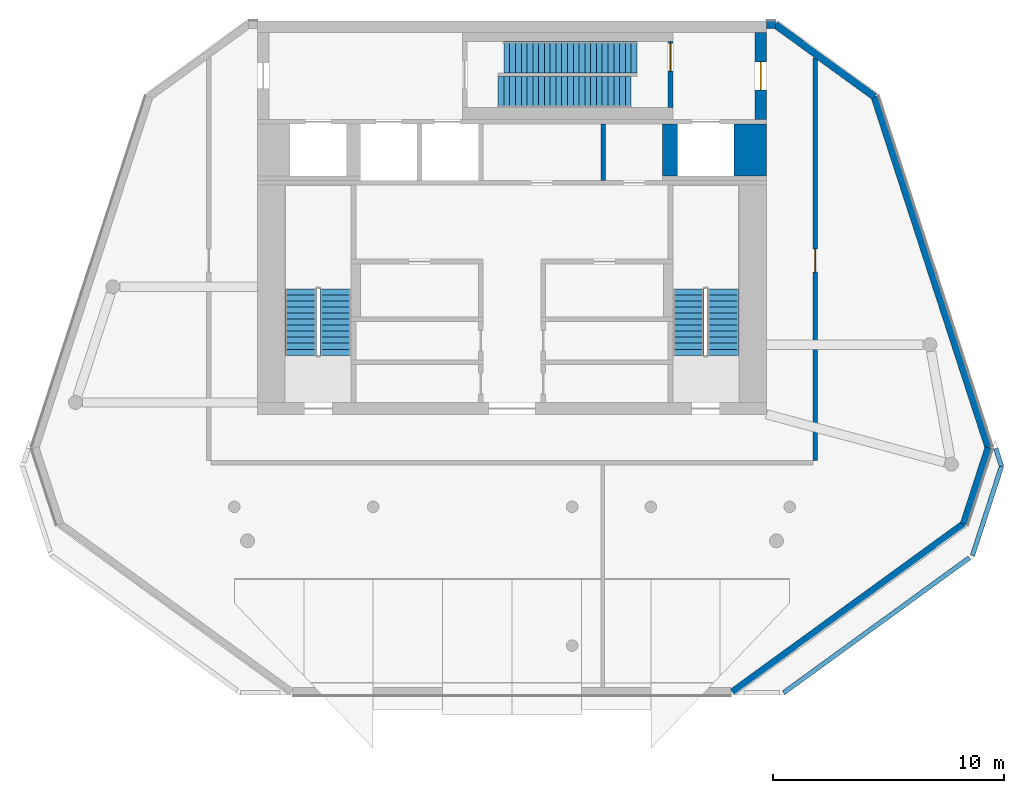
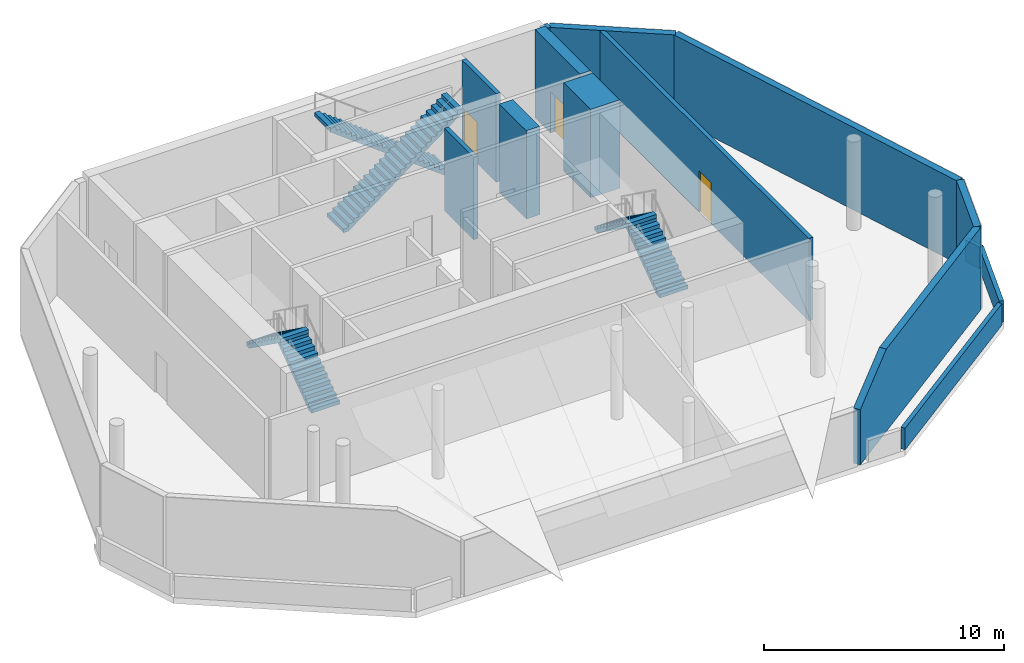
# One storey, part 3 of 7: 14 walls, 6 stair flights, 3 doors, 3 openings, 4 elements without a shape of their own.
"""IFC4 building model written with IfcOpenShell, lengths in metres."""

import ifcopenshell
import ifcopenshell.guid

model = None  # the IFC model being written
_history = None  # IfcOwnerHistory: only IFC2X3 demands one
_inside = {}  # id of a spatial element -> (the spatial element, [elements in it])
_under = {}  # id of a project, library or spatial element -> (it, [spatial elements below it])
_declared = {}  # id of a project -> (the project, [libraries it declares])
_typed = {}  # id of a type object -> (the type object, [elements of that type])
_made_of = {}  # id of a material, layer set ... -> (it, [elements and type objects made of it])


def new_model(schema):
    """Start an empty IFC model of exactly this schema.

    Asked for "IFC4X3", IfcOpenShell would pick the latest addendum, in which some entities
    have other attributes; the version numbers below select the first issue.
    IFC2X3 requires an IfcOwnerHistory on every rooted entity: one is made here for all.
    """
    global model, _history
    if schema == "IFC4X3":
        model = ifcopenshell.file(schema_version=(4, 3, 0, 0))
    else:
        model = ifcopenshell.file(schema=schema)
    _inside.clear()
    _under.clear()
    _declared.clear()
    _typed.clear()
    _made_of.clear()
    _history = None
    if model.schema == "IFC2X3":
        org = make("IfcOrganization", Name="unknown")
        user = make(
            "IfcPersonAndOrganization",
            ThePerson=make("IfcPerson", FamilyName="unknown"),
            TheOrganization=org,
        )
        app = make(
            "IfcApplication",
            ApplicationDeveloper=org,
            Version="unknown",
            ApplicationFullName="unknown",
            ApplicationIdentifier="unknown",
        )
        _history = make(
            "IfcOwnerHistory",
            OwningUser=user,
            OwningApplication=app,
            ChangeAction="ADDED",
            CreationDate=0,
        )
    return model


def make(cls, **values):
    """One entity of the class cls with the attributes given. An attribute that is None is left unset."""
    return model.create_entity(
        cls, **{name: value for name, value in values.items() if value is not None}
    )


def rooted(cls, **values):
    """An entity with a GlobalId (a new one), such as an element, a storey or a relation."""
    return make(cls, GlobalId=ifcopenshell.guid.new(), OwnerHistory=_history, **values)


def si_unit(unit_type, name, prefix=None):
    """IfcSIUnit, for example si_unit("LENGTHUNIT", "METRE", prefix="MILLI")."""
    return make("IfcSIUnit", UnitType=unit_type, Prefix=prefix, Name=name)


def assignment(units):
    """IfcUnitAssignment: the units of a project."""
    return None if units is None else make("IfcUnitAssignment", Units=units)


def point(xyz):
    """IfcCartesianPoint."""
    return None if xyz is None else make("IfcCartesianPoint", Coordinates=xyz)


def direction(xyz):
    """IfcDirection."""
    return None if xyz is None else make("IfcDirection", DirectionRatios=xyz)


def frame(location, z_axis=None, x_axis=None):
    """IfcAxis2Placement3D, a coordinate frame: its origin and axes. An axis left out is left unset."""
    return make(
        "IfcAxis2Placement3D",
        Location=point(location),
        Axis=direction(z_axis),
        RefDirection=direction(x_axis),
    )


def frame_2d(location, x_axis=None):
    """IfcAxis2Placement2D, a coordinate frame in the plane: its origin and x axis."""
    return make(
        "IfcAxis2Placement2D", Location=point(location), RefDirection=direction(x_axis)
    )


def origin():
    """The frame at (0, 0, 0) with its axes left unset."""
    return frame((0.0, 0.0, 0.0))


def place(relative_to, where):
    """IfcLocalPlacement: puts the frame where relative to a parent placement (None: the world)."""
    return make(
        "IfcLocalPlacement", PlacementRelTo=relative_to, RelativePlacement=where
    )


def context(
    kind, dimensions, precision=None, world=None, true_north=None, identifier=None
):
    """IfcGeometricRepresentationContext, for example the 3D "Model" context."""
    return make(
        "IfcGeometricRepresentationContext",
        ContextIdentifier=identifier,
        ContextType=kind,
        CoordinateSpaceDimension=dimensions,
        Precision=precision,
        WorldCoordinateSystem=world,
        TrueNorth=true_north,
    )


def subcontext(parent, identifier, kind, view, scale=None):
    """IfcGeometricRepresentationSubContext, for example "Body" below "Model"."""
    return make(
        "IfcGeometricRepresentationSubContext",
        ContextIdentifier=identifier,
        ContextType=kind,
        ParentContext=parent,
        TargetScale=scale,
        TargetView=view,
    )


def project(units=None, contexts=None):
    """IfcProject with its units and contexts."""
    return rooted(
        "IfcProject",
        Name="project",
        RepresentationContexts=contexts,
        UnitsInContext=assignment(units),
    )


def spatial(cls, under=None, at=None, **own):
    """A site, building, storey or space (cls), placed at a placement, below another one or the project."""
    s = rooted(cls, ObjectPlacement=at, **own)
    if under is not None:
        _under.setdefault(under.id(), (under, []))[1].append(s)
    return s


def polyline(points):
    """IfcPolyline through the points."""
    return make("IfcPolyline", Points=[point(p) for p in points])


def profile(cls, at=None, kind="AREA", **sizes):
    """A parametric profile (cls). Its sizes go by their IFC names, for example OverallWidth=200.0."""
    return make(cls, ProfileType=kind, Position=at, **sizes)


def rectangle(**sizes):
    """IfcRectangleProfileDef."""
    return profile("IfcRectangleProfileDef", **sizes)


def outline(outer, holes=None, kind="AREA"):
    """IfcArbitraryClosedProfileDef: a profile drawn as a closed curve; with holes, ...WithVoids."""
    if holes is None:
        return make("IfcArbitraryClosedProfileDef", ProfileType=kind, OuterCurve=outer)
    return make(
        "IfcArbitraryProfileDefWithVoids",
        ProfileType=kind,
        OuterCurve=outer,
        InnerCurves=holes,
    )


def extrude(swept, where, along, depth):
    """IfcExtrudedAreaSolid: the profile swept, set in the frame where, extruded along a direction by depth."""
    return make(
        "IfcExtrudedAreaSolid",
        SweptArea=swept,
        Position=where,
        ExtrudedDirection=direction(along),
        Depth=depth,
    )


def shape(context_of_items, identifier, shape_type, items):
    """IfcShapeRepresentation: the items that make up one representation, for example the "Body"."""
    return make(
        "IfcShapeRepresentation",
        ContextOfItems=context_of_items,
        RepresentationIdentifier=identifier,
        RepresentationType=shape_type,
        Items=items,
    )


def material(Name=None, Category=None):
    """IfcMaterial."""
    return make("IfcMaterial", Name=Name, Category=Category)


def layer(
    of_material, thickness, ventilated=None, Name=None, Category=None, Priority=None
):
    """IfcMaterialLayer: one layer of a wall or slab, of a material (None: an air gap)."""
    return make(
        "IfcMaterialLayer",
        Material=of_material,
        LayerThickness=thickness,
        IsVentilated=ventilated,
        Name=Name,
        Category=Category,
        Priority=Priority,
    )


def layer_set(layers, Name=None):
    """IfcMaterialLayerSet."""
    return make("IfcMaterialLayerSet", MaterialLayers=layers, LayerSetName=Name)


def made_of(thing, what):
    """Note that an element or type object is made of a material, layer set ...; save() writes the relation."""
    if what is not None:
        _made_of.setdefault(what.id(), (what, []))[1].append(thing)
    return thing


def type_object(cls, material=None, **own):
    """A type object (cls), such as IfcWallType, which elements share."""
    return made_of(rooted(cls, **own), material)


def element(
    cls,
    number,
    at=None,
    inside=None,
    cuts=None,
    type_object=None,
    material=None,
    context=None,
    identifier="Body",
    shape_type=None,
    held_by="IfcProductDefinitionShape",
    body=None,
    shapes=None,
    **own,
):
    """One element of the class cls, such as IfcWall. Its Tag is "e" and its number.

    at: its placement. inside: the storey or other place that contains it. cuts: it is an
    opening in that element (IfcRelVoidsElement). A single representation is given by context,
    identifier, shape_type and body (its items); several are given by shapes. held_by: the class
    of the entity that holds the representations. save() writes the other relations.
    """
    e = rooted(cls, Tag="e%d" % number, ObjectPlacement=at, **own)
    if body is not None:
        shapes = [shape(context, identifier, shape_type, body)]
    if shapes is not None:
        e.Representation = make(held_by, Representations=shapes)
    if inside is not None:
        _inside.setdefault(inside.id(), (inside, []))[1].append(e)
    if cuts is not None:
        rooted(
            "IfcRelVoidsElement", RelatingBuildingElement=cuts, RelatedOpeningElement=e
        )
    if type_object is not None:
        _typed.setdefault(type_object.id(), (type_object, []))[1].append(e)
    return made_of(e, material)


def fill(opening, filler):
    """IfcRelFillsElement: the door or window that sits in an opening."""
    return rooted(
        "IfcRelFillsElement",
        RelatingOpeningElement=opening,
        RelatedBuildingElement=filler,
    )


def aggregate(whole, parts):
    """IfcRelAggregates: a whole, such as a stair, and the parts it consists of."""
    return rooted("IfcRelAggregates", RelatingObject=whole, RelatedObjects=parts)


def save(model, path):
    """Write the relations noted so far, then the file.

    IfcRelAggregates (storeys below a building ...), IfcRelContainedInSpatialStructure (elements
    in a storey), IfcRelDefinesByType, IfcRelAssociatesMaterial and IfcRelDeclares: one each for
    every whole, place, type object, material and project.
    """
    for whole, parts in _under.values():
        aggregate(whole, parts)
    for where, things in _inside.values():
        rooted(
            "IfcRelContainedInSpatialStructure",
            RelatedElements=things,
            RelatingStructure=where,
        )
    for kind, things in _typed.values():
        rooted("IfcRelDefinesByType", RelatedObjects=things, RelatingType=kind)
    for what, things in _made_of.values():
        rooted("IfcRelAssociatesMaterial", RelatedObjects=things, RelatingMaterial=what)
    for by, libraries in _declared.values():
        rooted("IfcRelDeclares", RelatingContext=by, RelatedDefinitions=libraries)
    model.write(path)


model = new_model("IFC4")

# Units and contexts
model_context = context("Model", 3, precision=1e-05, world=origin(), true_north=direction((0.0, 1.0)))
body_context = subcontext(model_context, "Body", "Model", "MODEL_VIEW")
ifc_project = project(units=[si_unit("LENGTHUNIT", "METRE"), si_unit("AREAUNIT", "SQUARE_METRE"), si_unit("VOLUMEUNIT", "CUBIC_METRE"), si_unit("PLANEANGLEUNIT", "RADIAN"), si_unit("MASSUNIT", "GRAM", prefix="KILO")], contexts=[model_context])

# Site, building, storey
site_placement = place(None, origin())
site = spatial("IfcSite", under=ifc_project, at=site_placement, CompositionType="ELEMENT")
building_placement = place(site_placement, origin())
building = spatial("IfcBuilding", under=site, at=building_placement, Name="White Candle Pilgrim Tower", CompositionType="ELEMENT")
storey_placement = place(building_placement, frame((0.0, 0.0, 333.199951171875)))
storey = spatial("IfcBuildingStorey", under=building, at=storey_placement, Name="L78", CompositionType="ELEMENT", Elevation=333.199951171875)

# Wall
ifc_material_1 = material(Name="Concrete C40/50", Category="concrete")
ifc_layer_1 = layer(ifc_material_1, 1.39990234375)
ifc_layer_set_1 = layer_set([ifc_layer_1], Name="Core wall 1400 mm Concrete C40/50")
wall_type_1 = type_object("IfcWallType", Name="Core wall 1400 mm Concrete C40/50", PredefinedType="SHEAR", material=ifc_layer_set_1)
wall_1_placement = place(storey_placement, frame((80.300048828125, 81.300048828125, 0.0), z_axis=(0.0, 0.0, 1.0), x_axis=(0.0, 1.0, 0.0)))
element("IfcWall", 1, at=wall_1_placement, inside=storey, type_object=wall_type_1, Name="WL-L78-C33", PredefinedType="SHEAR", context=body_context, shape_type="SweptSolid", body=[
    extrude(rectangle(XDim=2.25, YDim=1.39990234375, at=frame_2d((1.125, 0.0))), origin(), (0.0, 0.0, 1.0), 4.5),
])

# Wall, opening, door
ifc_layer_2 = layer(ifc_material_1, 0.5)
ifc_layer_set_2 = layer_set([ifc_layer_2], Name="Core wall 500 mm Concrete C40/50")
wall_type_2 = type_object("IfcWallType", Name="Core wall 500 mm Concrete C40/50", PredefinedType="SHEAR", material=ifc_layer_set_2)
wall_2_placement = place(storey_placement, frame((80.75, 83.75, 0.0), z_axis=(0.0, 0.0, 1.0), x_axis=(0.0, 1.0, 0.0)))
wall_2 = element("IfcWall", 2, at=wall_2_placement, inside=storey, type_object=wall_type_2, Name="WL-L78-C37", PredefinedType="SHEAR", context=body_context, shape_type="SweptSolid", body=[
    extrude(rectangle(XDim=3.75, YDim=0.5, at=frame_2d((1.875, 0.0))), origin(), (0.0, 0.0, 1.0), 4.5),
])
opening_1_placement = place(wall_2_placement, frame((1.27490234375, 0.0, 0.0)))
opening_1 = element("IfcOpeningElement", 3, at=opening_1_placement, cuts=wall_2, Name="Opening L78-011", PredefinedType="OPENING", context=body_context, shape_type="SweptSolid", body=[
    extrude(rectangle(XDim=1.199951171875, YDim=2.10009765625, at=frame_2d((0.60009765625, 1.050048828125))), frame((0.0, 0.260009765625, 0.0), z_axis=(0.0, -1.0, 0.0), x_axis=(1.0, 0.0, 0.0)), (0.0, 0.0, 1.0), 0.52001953125),
])
ifc_material_2 = material(Name="Steel door leaf", Category="steel")
door_type_1 = type_object("IfcDoorType", Name="Fire door 1200 x 2100 EI 30", OperationType="NOTDEFINED", PredefinedType="DOOR", material=ifc_material_2)
door_1_placement = place(opening_1_placement, origin())
door_1 = element("IfcDoor", 4, at=door_1_placement, inside=storey, type_object=door_type_1, Name="Door L78-011", OperationType="SINGLE_SWING_LEFT", OverallHeight=2.10009765625, OverallWidth=1.199951171875, PredefinedType="DOOR", context=body_context, shape_type="SweptSolid", body=[
    extrude(rectangle(XDim=1.199951171875, YDim=2.10009765625, at=frame_2d((0.60009765625, 1.050048828125))), frame((0.0, 0.02490234375, 0.0), z_axis=(0.0, -1.0, 0.0), x_axis=(1.0, 0.0, 0.0)), (0.0, 0.0, 1.0), 0.050048828125),
])
fill(opening_1, door_1)

ifc_material_3 = material(Name="Gypsum board on steel studs", Category="steel")
ifc_layer_3 = layer(ifc_material_3, 0.199951171875)
ifc_layer_set_3 = layer_set([ifc_layer_3], Name="Corridor wall 200 mm EI 45")
wall_type_3 = type_object("IfcWallType", Name="Corridor wall 200 mm EI 45", PredefinedType="PARTITIONING", material=ifc_layer_set_3)
wall_3_placement = place(storey_placement, frame((83.10009765625, 86.396240234375, 0.0), z_axis=(0.0, 0.0, 1.0), x_axis=(0.0, -1.0, 0.0)))
wall_3 = element("IfcWall", 5, at=wall_3_placement, inside=storey, type_object=wall_type_3, Name="WL-L78-P001", PredefinedType="PARTITIONING", context=body_context, shape_type="SweptSolid", body=[
    extrude(rectangle(XDim=17.396240234375, YDim=0.199951171875, at=frame_2d((8.6982421875, 0.0))), origin(), (0.0, 0.0, 1.0), 4.199951171875),
])
opening_2_placement = place(wall_3_placement, frame((8.248046875, 0.0, 0.0)))
opening_2 = element("IfcOpeningElement", 6, at=opening_2_placement, cuts=wall_3, Name="Opening L78-102", PredefinedType="OPENING", context=body_context, shape_type="SweptSolid", body=[
    extrude(rectangle(XDim=1.0, YDim=2.10009765625, at=frame_2d((0.5, 1.050048828125))), frame((0.0, 0.10986328125, 0.0), z_axis=(0.0, -1.0, 0.0), x_axis=(1.0, 0.0, 0.0)), (0.0, 0.0, 1.0), 0.219970703125),
])
door_type_2 = type_object("IfcDoorType", Name="Fire door 1000 x 2100 EI 30", OperationType="NOTDEFINED", PredefinedType="DOOR", material=ifc_material_2)
door_2_placement = place(opening_2_placement, origin())
door_2 = element("IfcDoor", 7, at=door_2_placement, inside=storey, type_object=door_type_2, Name="Door L78-102", OperationType="SINGLE_SWING_RIGHT", OverallHeight=2.10009765625, OverallWidth=1.0, PredefinedType="DOOR", context=body_context, shape_type="SweptSolid", body=[
    extrude(rectangle(XDim=1.0, YDim=2.10009765625, at=frame_2d((0.5, 1.050048828125))), frame((0.0, 0.02490234375, 0.0), z_axis=(0.0, -1.0, 0.0), x_axis=(1.0, 0.0, 0.0)), (0.0, 0.0, 1.0), 0.050048828125),
])
fill(opening_2, door_2)

# Walls
ifc_material_4 = material(Name="Precast concrete C40/50", Category="concrete")
ifc_layer_4 = layer(ifc_material_4, 0.320068359375)
ifc_layer_set_4 = layer_set([ifc_layer_4], Name="Facade wall EW4 precast concrete C40/50 crown wall with zinc cladding")
wall_type_4 = type_object("IfcWallType", Name="Facade wall EW4 precast concrete C40/50 crown wall with zinc cladding", PredefinedType="SOLIDWALL", material=ifc_layer_set_4)
wall_4_placement = place(storey_placement, frame((79.53369140625, 58.9912109375, 0.0), z_axis=(0.0, 0.0, 1.0), x_axis=(0.809010412603, 0.587794311217, 0.0)))
element("IfcWall", 8, at=wall_4_placement, inside=storey, type_object=wall_type_4, Name="Crown wall L78 SE", PredefinedType="SOLIDWALL", context=body_context, shape_type="SweptSolid", body=[
    extrude(outline(polyline([(0.0, 0.0), (12.349609375, 0.0), (12.349609375, 4.199951171875), (2.661865234375, 4.199951171875), (0.0, 2.814697265625), (0.0, 0.0)])), frame((0.0, 0.16015625, 0.0), z_axis=(0.0, -1.0, 0.0), x_axis=(1.0, 0.0, 0.0)), (0.0, 0.0, 1.0), 0.320068359375),
])
wall_5_placement = place(storey_placement, frame((89.524658203125, 66.250244140625, 0.0), z_axis=(0.0, 0.0, 1.0), x_axis=(0.309032063521, 0.951051619901, 0.0)))
element("IfcWall", 9, at=wall_5_placement, inside=storey, type_object=wall_type_4, Name="Crown wall L78 E chamfer", PredefinedType="SOLIDWALL", context=body_context, shape_type="SweptSolid", body=[
    extrude(rectangle(XDim=3.475341796875, YDim=0.320068359375, at=frame_2d((1.73779296875, 0.0))), origin(), (0.0, 0.0, 1.0), 4.199951171875),
])
wall_6_placement = place(storey_placement, frame((90.5986328125, 69.555419921875, 0.0), z_axis=(0.0, 0.0, 1.0), x_axis=(-0.309028974627, 0.951052623592, 0.0)))
element("IfcWall", 10, at=wall_6_placement, inside=storey, type_object=wall_type_4, Name="Crown wall L78 ENE", PredefinedType="SOLIDWALL", context=body_context, shape_type="SweptSolid", body=[
    extrude(rectangle(XDim=15.952880859375, YDim=0.320068359375, at=frame_2d((7.9765625, 0.0))), origin(), (0.0, 0.0, 1.0), 4.199951171875),
])
wall_7_placement = place(storey_placement, frame((85.668701171875, 84.7275390625, 0.0), z_axis=(0.0, 0.0, 1.0), x_axis=(-0.808993209203, 0.587817988381, 0.0)))
element("IfcWall", 11, at=wall_7_placement, inside=storey, type_object=wall_type_4, Name="Crown wall L78 NE chamfer", PredefinedType="SOLIDWALL", context=body_context, shape_type="SweptSolid", body=[
    extrude(rectangle(XDim=5.295166015625, YDim=0.320068359375, at=frame_2d((2.6474609375, 0.0))), origin(), (0.0, 0.0, 1.0), 4.199951171875),
])
wall_8_placement = place(storey_placement, frame((81.385009765625, 87.840087890625, 0.0), z_axis=(0.0, 0.0, 1.0), x_axis=(-1.0, 0.0, 0.0)))
element("IfcWall", 12, at=wall_8_placement, inside=storey, type_object=wall_type_4, Name="Crown wall L78 N", PredefinedType="SOLIDWALL", context=body_context, shape_type="SweptSolid", body=[
    extrude(rectangle(XDim=0.385009765625, YDim=0.320068359375, at=frame_2d((0.1923828125, 0.0))), origin(), (0.0, 0.0, 1.0), 4.199951171875),
])
ifc_layer_5 = layer(ifc_material_3, 0.199951171875)
ifc_layer_set_5 = layer_set([ifc_layer_5], Name="Lobby wall 200 mm EI 60")
wall_type_5 = type_object("IfcWallType", Name="Lobby wall 200 mm EI 60", PredefinedType="PARTITIONING", material=ifc_layer_set_5)
wall_9_placement = place(storey_placement, frame((73.949951171875, 81.10009765625, 0.0), z_axis=(0.0, 0.0, 1.0), x_axis=(0.0, 1.0, 0.0)))
element("IfcWall", 13, at=wall_9_placement, inside=storey, type_object=wall_type_5, Name="WL-L78-C28", PredefinedType="PARTITIONING", context=body_context, shape_type="SweptSolid", body=[
    extrude(rectangle(XDim=2.449951171875, YDim=0.199951171875, at=frame_2d((1.22509765625, 0.0))), origin(), (0.0, 0.0, 1.0), 4.199951171875),
])
ifc_layer_6 = layer(ifc_material_4, 0.199951171875)
ifc_layer_set_6 = layer_set([ifc_layer_6], Name="Roof parapet EW5 precast concrete C40/50 200")
wall_type_6 = type_object("IfcWallType", Name="Roof parapet EW5 precast concrete C40/50 200", PredefinedType="SOLIDWALL", material=ifc_layer_set_6)
wall_10_placement = place(storey_placement, frame((91.158447265625, 68.75439453125, 0.0), z_axis=(0.0, 0.0, 1.0), x_axis=(-0.309000382658, -0.951061913609, 0.0)))
element("IfcWall", 14, at=wall_10_placement, inside=storey, type_object=wall_type_6, Name="Roof parapet L78", PredefinedType="SOLIDWALL", context=body_context, shape_type="SweptSolid", body=[
    extrude(rectangle(XDim=4.058837890625, YDim=0.199951171875, at=frame_2d((2.029296875, 0.0))), origin(), (0.0, 0.0, 1.0), 1.10009765625),
])
wall_11_placement = place(storey_placement, frame((89.7666015625, 64.794189453125, 0.0), z_axis=(0.0, 0.0, 1.0), x_axis=(-0.809022199315, -0.58777808824, 0.0)))
element("IfcWall", 15, at=wall_11_placement, inside=storey, type_object=wall_type_6, Name="Roof parapet L78", PredefinedType="SOLIDWALL", context=body_context, shape_type="SweptSolid", body=[
    extrude(rectangle(XDim=9.922607421875, YDim=0.199951171875, at=frame_2d((4.96142578125, 0.0))), origin(), (0.0, 0.0, 1.0), 1.10009765625),
])
wall_12_placement = place(storey_placement, frame((90.9111328125, 69.515380859375, 0.0), z_axis=(0.0, 0.0, 1.0), x_axis=(0.309079173229, -0.951036310914, 0.0)))
element("IfcWall", 16, at=wall_12_placement, inside=storey, type_object=wall_type_6, Name="Roof parapet L78", PredefinedType="SOLIDWALL", context=body_context, shape_type="SweptSolid", body=[
    extrude(rectangle(XDim=0.800048828125, YDim=0.199951171875, at=frame_2d((0.39990234375, 0.0))), origin(), (0.0, 0.0, 1.0), 1.10009765625),
])
ifc_layer_7 = layer(ifc_material_1, 0.64990234375)
ifc_layer_set_7 = layer_set([ifc_layer_7], Name="Shaft wall 650 mm Concrete C40/50")
wall_type_7 = type_object("IfcWallType", Name="Shaft wall 650 mm Concrete C40/50", PredefinedType="SHEAR", material=ifc_layer_set_7)
wall_13_placement = place(storey_placement, frame((76.824951171875, 81.300048828125, 0.0), z_axis=(0.0, 0.0, 1.0), x_axis=(0.0, 1.0, 0.0)))
element("IfcWall", 17, at=wall_13_placement, inside=storey, type_object=wall_type_7, Name="WL-L78-C32", PredefinedType="SHEAR", context=body_context, shape_type="SweptSolid", body=[
    extrude(rectangle(XDim=2.25, YDim=0.64990234375, at=frame_2d((1.125, 0.0))), origin(), (0.0, 0.0, 1.0), 4.5),
])

# Wall, opening, door
ifc_layer_8 = layer(ifc_material_1, 0.199951171875)
ifc_layer_set_8 = layer_set([ifc_layer_8], Name="Stair shaft wall 200 mm Concrete C40/50")
wall_type_8 = type_object("IfcWallType", Name="Stair shaft wall 200 mm Concrete C40/50", PredefinedType="SHEAR", material=ifc_layer_set_8)
wall_14_placement = place(storey_placement, frame((76.85009765625, 84.25, 0.0), z_axis=(0.0, 0.0, 1.0), x_axis=(0.0, 1.0, 0.0)))
wall_14 = element("IfcWall", 18, at=wall_14_placement, inside=storey, type_object=wall_type_8, Name="WL-L78-C39", PredefinedType="SHEAR", context=body_context, shape_type="SweptSolid", body=[
    extrude(rectangle(XDim=2.85009765625, YDim=0.199951171875, at=frame_2d((1.425048828125, 0.0))), origin(), (0.0, 0.0, 1.0), 4.5),
])
opening_3_placement = place(wall_14_placement, frame((1.574951171875, 0.0, 0.0)))
opening_3 = element("IfcOpeningElement", 19, at=opening_3_placement, cuts=wall_14, Name="Opening L78-004", PredefinedType="OPENING", context=body_context, shape_type="SweptSolid", body=[
    extrude(rectangle(XDim=1.199951171875, YDim=2.10009765625, at=frame_2d((0.60009765625, 1.050048828125))), frame((0.0, 0.10986328125, 0.0), z_axis=(0.0, -1.0, 0.0), x_axis=(1.0, 0.0, 0.0)), (0.0, 0.0, 1.0), 0.219970703125),
])
door_type_3 = type_object("IfcDoorType", Name="Fire door 1200 x 2100 EI 60", OperationType="NOTDEFINED", PredefinedType="DOOR", material=ifc_material_2)
door_3_placement = place(opening_3_placement, origin())
door_3 = element("IfcDoor", 20, at=door_3_placement, inside=storey, type_object=door_type_3, Name="Door L78-004", OperationType="SINGLE_SWING_RIGHT", OverallHeight=2.10009765625, OverallWidth=1.199951171875, PredefinedType="DOOR", context=body_context, shape_type="SweptSolid", body=[
    extrude(rectangle(XDim=1.199951171875, YDim=2.10009765625, at=frame_2d((0.60009765625, 1.050048828125))), frame((0.0, 0.02490234375, 0.0), z_axis=(0.0, -1.0, 0.0), x_axis=(1.0, 0.0, 0.0)), (0.0, 0.0, 1.0), 0.050048828125),
])
fill(opening_3, door_3)

# Stair, stair flights
stair_type_1 = type_object("IfcStairType", Name="Exit stair 1 flight width 1350 mm", PredefinedType="HALF_TURN_STAIR", material=ifc_material_1)
stair_1_placement = place(storey_placement, origin())
stair_1 = element("IfcStair", 21, at=stair_1_placement, inside=storey, type_object=stair_type_1, Name="L78 stair 1", PredefinedType="NOTDEFINED")
ifc_layer_9 = layer(ifc_material_1, 0.14990234375)
ifc_layer_set_9 = layer_set([ifc_layer_9], Name="Stair flight Concrete C40/50")
stair_flight_type = type_object("IfcStairFlightType", Name="Stair flight Concrete C40/50", PredefinedType="STRAIGHT", material=ifc_layer_set_9)
stair_flight_1_placement = place(storey_placement, frame((62.375, 73.550048828125, 0.0), z_axis=(0.0, 0.0, 1.0), x_axis=(0.0, 1.0, 0.0)))
stair_flight_1 = element("IfcStairFlight", 22, at=stair_flight_1_placement, type_object=stair_flight_type, Name="ST1 flight 1", NumberOfRisers=12, NumberOfTreads=11, PredefinedType="NOTDEFINED", RiserHeight=0.1875, TreadLength=0.26, context=body_context, shape_type="SweptSolid", body=[
    extrude(outline(polyline([(0.0, 0.0), (0.0, 0.1875), (0.260009765625, 0.1875), (0.260009765625, 0.375), (0.52001953125, 0.375), (0.52001953125, 0.5625), (0.780029296875, 0.5625), (0.780029296875, 0.75), (1.0400390625, 0.75), (1.0400390625, 0.9375), (1.300048828125, 0.9375), (1.300048828125, 1.125), (1.56005859375, 1.125), (1.56005859375, 1.3125), (1.820068359375, 1.3125), (1.820068359375, 1.5), (2.080078125, 1.5), (2.080078125, 1.6875), (2.340087890625, 1.6875), (2.340087890625, 1.875), (2.60009765625, 1.875), (2.60009765625, 2.0625), (2.860107421875, 2.0625), (2.860107421875, 2.25), (2.860107421875, 1.877685546875), (0.25634765625, 0.0), (0.0, 0.0)])), frame((0.0, 0.675048828125, 0.0), z_axis=(0.0, -1.0, 0.0), x_axis=(1.0, 0.0, 0.0)), (0.0, 0.0, 1.0), 1.35009765625),
])
stair_flight_2_placement = place(storey_placement, frame((60.875, 76.409912109375, 2.25), z_axis=(0.0, 0.0, 1.0), x_axis=(0.0, -1.0, 0.0)))
stair_flight_2 = element("IfcStairFlight", 23, at=stair_flight_2_placement, type_object=stair_flight_type, Name="ST1 flight 2", NumberOfRisers=12, NumberOfTreads=11, PredefinedType="NOTDEFINED", RiserHeight=0.1875, TreadLength=0.26, context=body_context, shape_type="SweptSolid", body=[
    extrude(outline(polyline([(0.0, 0.0), (0.0, 0.1875), (0.260009765625, 0.1875), (0.260009765625, 0.375), (0.52001953125, 0.375), (0.52001953125, 0.5625), (0.780029296875, 0.5625), (0.780029296875, 0.75), (1.0400390625, 0.75), (1.0400390625, 0.9375), (1.300048828125, 0.9375), (1.300048828125, 1.125), (1.56005859375, 1.125), (1.56005859375, 1.3125), (1.820068359375, 1.3125), (1.820068359375, 1.5), (2.080078125, 1.5), (2.080078125, 1.6875), (2.340087890625, 1.6875), (2.340087890625, 1.875), (2.60009765625, 1.875), (2.60009765625, 2.0625), (2.860107421875, 2.0625), (2.860107421875, 2.25), (2.860107421875, 1.877685546875), (0.25634765625, 0.0), (0.0, 0.0)])), frame((0.0, 0.675048828125, 0.0), z_axis=(0.0, -1.0, 0.0), x_axis=(1.0, 0.0, 0.0)), (0.0, 0.0, 1.0), 1.35009765625),
])
aggregate(stair_1, [stair_flight_1, stair_flight_2])

stair_type_2 = type_object("IfcStairType", Name="Exit stair 2 flight width 1350 mm", PredefinedType="HALF_TURN_STAIR", material=ifc_material_1)
stair_2_placement = place(storey_placement, origin())
stair_2 = element("IfcStair", 24, at=stair_2_placement, inside=storey, type_object=stair_type_2, Name="L78 stair 2", PredefinedType="NOTDEFINED")
stair_flight_3_placement = place(storey_placement, frame((79.125, 73.550048828125, 0.0), z_axis=(0.0, 0.0, 1.0), x_axis=(0.0, 1.0, 0.0)))
stair_flight_3 = element("IfcStairFlight", 25, at=stair_flight_3_placement, type_object=stair_flight_type, Name="ST2 flight 1", NumberOfRisers=12, NumberOfTreads=11, PredefinedType="NOTDEFINED", RiserHeight=0.1875, TreadLength=0.26, context=body_context, shape_type="SweptSolid", body=[
    extrude(outline(polyline([(0.0, 0.0), (0.0, 0.1875), (0.260009765625, 0.1875), (0.260009765625, 0.375), (0.52001953125, 0.375), (0.52001953125, 0.5625), (0.780029296875, 0.5625), (0.780029296875, 0.75), (1.0400390625, 0.75), (1.0400390625, 0.9375), (1.300048828125, 0.9375), (1.300048828125, 1.125), (1.56005859375, 1.125), (1.56005859375, 1.3125), (1.820068359375, 1.3125), (1.820068359375, 1.5), (2.080078125, 1.5), (2.080078125, 1.6875), (2.340087890625, 1.6875), (2.340087890625, 1.875), (2.60009765625, 1.875), (2.60009765625, 2.0625), (2.860107421875, 2.0625), (2.860107421875, 2.25), (2.860107421875, 1.877685546875), (0.25634765625, 0.0), (0.0, 0.0)])), frame((0.0, 0.675048828125, 0.0), z_axis=(0.0, -1.0, 0.0), x_axis=(1.0, 0.0, 0.0)), (0.0, 0.0, 1.0), 1.35009765625),
])
stair_flight_4_placement = place(storey_placement, frame((77.625, 76.409912109375, 2.25), z_axis=(0.0, 0.0, 1.0), x_axis=(0.0, -1.0, 0.0)))
stair_flight_4 = element("IfcStairFlight", 26, at=stair_flight_4_placement, type_object=stair_flight_type, Name="ST2 flight 2", NumberOfRisers=12, NumberOfTreads=11, PredefinedType="NOTDEFINED", RiserHeight=0.1875, TreadLength=0.26, context=body_context, shape_type="SweptSolid", body=[
    extrude(outline(polyline([(0.0, 0.0), (0.0, 0.1875), (0.260009765625, 0.1875), (0.260009765625, 0.375), (0.52001953125, 0.375), (0.52001953125, 0.5625), (0.780029296875, 0.5625), (0.780029296875, 0.75), (1.0400390625, 0.75), (1.0400390625, 0.9375), (1.300048828125, 0.9375), (1.300048828125, 1.125), (1.56005859375, 1.125), (1.56005859375, 1.3125), (1.820068359375, 1.3125), (1.820068359375, 1.5), (2.080078125, 1.5), (2.080078125, 1.6875), (2.340087890625, 1.6875), (2.340087890625, 1.875), (2.60009765625, 1.875), (2.60009765625, 2.0625), (2.860107421875, 2.0625), (2.860107421875, 2.25), (2.860107421875, 1.877685546875), (0.25634765625, 0.0), (0.0, 0.0)])), frame((0.0, 0.675048828125, 0.0), z_axis=(0.0, -1.0, 0.0), x_axis=(1.0, 0.0, 0.0)), (0.0, 0.0, 1.0), 1.35009765625),
])
aggregate(stair_2, [stair_flight_3, stair_flight_4])

# Stair, stair flight
stair_type_3 = type_object("IfcStairType", Name="Exit stair 12 flight width 1350 mm", PredefinedType="STRAIGHT_RUN_STAIR", material=ifc_material_1)
stair_3_placement = place(storey_placement, origin())
stair_3 = element("IfcStair", 27, at=stair_3_placement, inside=storey, type_object=stair_type_3, Name="L78 stair 12 B", PredefinedType="NOTDEFINED")
stair_flight_5_placement = place(storey_placement, frame((69.39990234375, 84.925048828125, 0.0), z_axis=(0.0, 0.0, 1.0), x_axis=(1.0, 0.0, 0.0)))
stair_flight_5 = element("IfcStairFlight", 28, at=stair_flight_5_placement, type_object=stair_flight_type, Name="ST12B flight 1", NumberOfRisers=24, NumberOfTreads=23, PredefinedType="NOTDEFINED", RiserHeight=0.1875, TreadLength=0.25, context=body_context, shape_type="SweptSolid", body=[
    extrude(outline(polyline([(0.0, 0.0), (0.0, 0.1875), (0.25, 0.1875), (0.25, 0.375), (0.5, 0.375), (0.5, 0.5625), (0.75, 0.5625), (0.75, 0.75), (1.0, 0.75), (1.0, 0.9375), (1.25, 0.9375), (1.25, 1.125), (1.5, 1.125), (1.5, 1.3125), (1.75, 1.3125), (1.75, 1.5), (2.0, 1.5), (2.0, 1.6875), (2.25, 1.6875), (2.25, 1.875), (2.5, 1.875), (2.5, 2.0625), (2.75, 2.0625), (2.75, 2.25), (3.0, 2.25), (3.0, 2.4375), (3.25, 2.4375), (3.25, 2.625), (3.5, 2.625), (3.5, 2.8125), (3.75, 2.8125), (3.75, 3.0), (4.0, 3.0), (4.0, 3.1875), (4.25, 3.1875), (4.25, 3.375), (4.5, 3.375), (4.5, 3.5625), (4.75, 3.5625), (4.75, 3.75), (5.0, 3.75), (5.0, 3.9375), (5.25, 3.9375), (5.25, 4.125), (5.5, 4.125), (5.5, 4.3125), (5.75, 4.3125), (5.75, 4.5), (5.75, 4.125), (0.249755859375, 0.0), (0.0, 0.0)])), frame((0.0, 0.675048828125, 0.0), z_axis=(0.0, -1.0, 0.0), x_axis=(1.0, 0.0, 0.0)), (0.0, 0.0, 1.0), 1.35009765625),
])
aggregate(stair_3, [stair_flight_5])

stair_4_placement = place(storey_placement, origin())
stair_4 = element("IfcStair", 29, at=stair_4_placement, inside=storey, type_object=stair_type_3, Name="L78 stair 12 A", PredefinedType="NOTDEFINED")
stair_flight_6_placement = place(storey_placement, frame((75.39990234375, 86.425048828125, 0.0), z_axis=(0.0, 0.0, 1.0), x_axis=(-1.0, 0.0, 0.0)))
stair_flight_6 = element("IfcStairFlight", 30, at=stair_flight_6_placement, type_object=stair_flight_type, Name="ST12A flight 1", NumberOfRisers=24, NumberOfTreads=23, PredefinedType="NOTDEFINED", RiserHeight=0.1875, TreadLength=0.25, context=body_context, shape_type="SweptSolid", body=[
    extrude(outline(polyline([(0.0, 0.0), (0.0, 0.1875), (0.25, 0.1875), (0.25, 0.375), (0.5, 0.375), (0.5, 0.5625), (0.75, 0.5625), (0.75, 0.75), (1.0, 0.75), (1.0, 0.9375), (1.25, 0.9375), (1.25, 1.125), (1.5, 1.125), (1.5, 1.3125), (1.75, 1.3125), (1.75, 1.5), (2.0, 1.5), (2.0, 1.6875), (2.25, 1.6875), (2.25, 1.875), (2.5, 1.875), (2.5, 2.0625), (2.75, 2.0625), (2.75, 2.25), (3.0, 2.25), (3.0, 2.4375), (3.25, 2.4375), (3.25, 2.625), (3.5, 2.625), (3.5, 2.8125), (3.75, 2.8125), (3.75, 3.0), (4.0, 3.0), (4.0, 3.1875), (4.25, 3.1875), (4.25, 3.375), (4.5, 3.375), (4.5, 3.5625), (4.75, 3.5625), (4.75, 3.75), (5.0, 3.75), (5.0, 3.9375), (5.25, 3.9375), (5.25, 4.125), (5.5, 4.125), (5.5, 4.3125), (5.75, 4.3125), (5.75, 4.5), (5.75, 4.125), (0.249755859375, 0.0), (0.0, 0.0)])), frame((0.0, 0.675048828125, 0.0), z_axis=(0.0, -1.0, 0.0), x_axis=(1.0, 0.0, 0.0)), (0.0, 0.0, 1.0), 1.35009765625),
])
aggregate(stair_4, [stair_flight_6])

save(model, "model.ifc")
